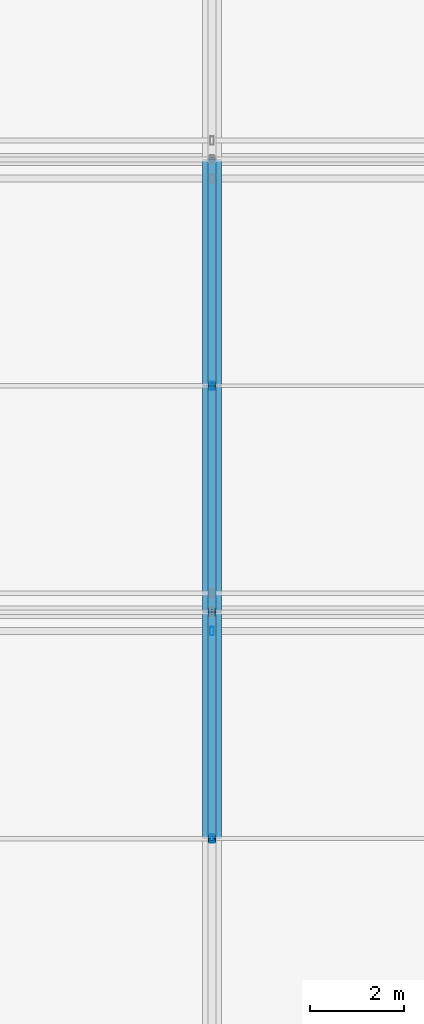
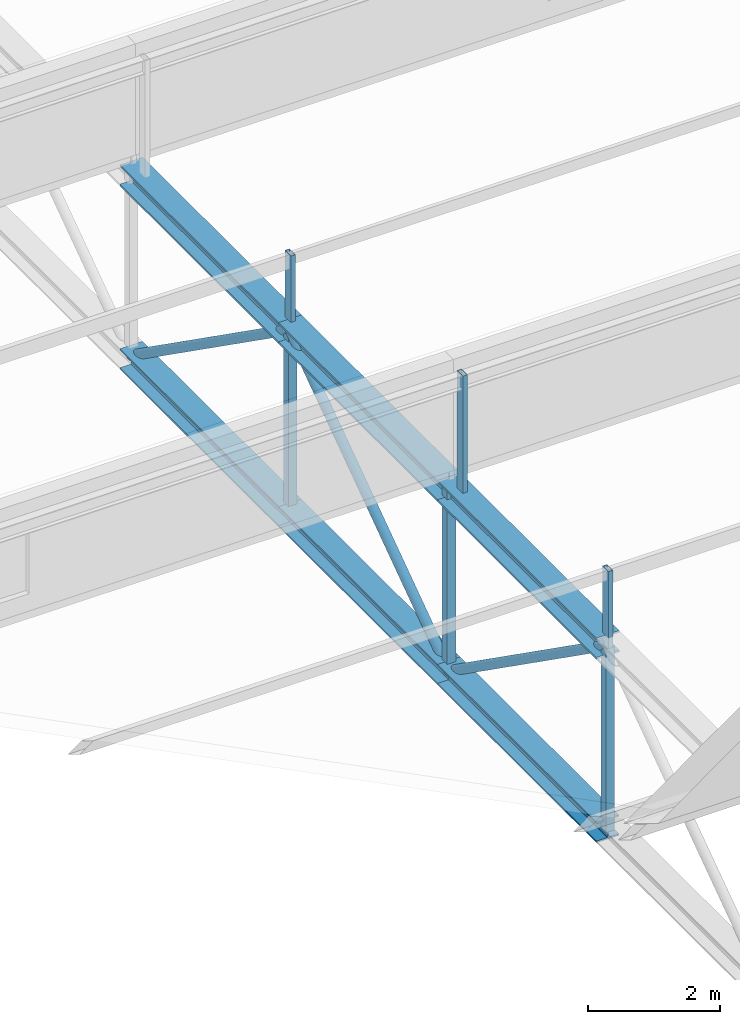
# One storey, part 65 of 136: 9 members, 6 beams.
"""IFC4 building model written with IfcOpenShell, lengths in metres."""

from ifc_helpers import new_model, si_unit, direction, frame, origin, origin_2d, place, context, subcontext, project, spatial, hollow_rectangle, hollow_circle, i_section, extrude, material, material_profile, profile_set, type_object, element, save


model = new_model("IFC4")

# Units and contexts
model_context = context("Model", 3, precision=1e-05, world=origin(), true_north=direction((0.0, 1.0)))
body_context = subcontext(model_context, "Body", "Model", "MODEL_VIEW")
ifc_project = project(units=[si_unit("LENGTHUNIT", "METRE"), si_unit("AREAUNIT", "SQUARE_METRE"), si_unit("VOLUMEUNIT", "CUBIC_METRE"), si_unit("PLANEANGLEUNIT", "RADIAN"), si_unit("MASSUNIT", "GRAM", prefix="KILO")], contexts=[model_context])

# Site, building, storey
site_placement = place(None, origin())
site = spatial("IfcSite", under=ifc_project, at=site_placement, CompositionType="ELEMENT")
building_placement = place(site_placement, origin())
building = spatial("IfcBuilding", under=site, at=building_placement, Name="Kisiwana Market Hall", CompositionType="ELEMENT")
storey_placement = place(building_placement, frame((0.0, 0.0, 16.800048828125)))
storey = spatial("IfcBuildingStorey", under=building, at=storey_placement, Name="L03", CompositionType="ELEMENT", Elevation=16.800048828125)

# Beams
ifc_material_1 = material(Name="Steel S355", Category="steel")
ifc_material_profile_1 = material_profile(ifc_material_1, i_section(OverallWidth=0.394775390625, OverallDepth=0.381103515625, WebThickness=0.018310546875, FlangeThickness=0.0302734375, at=origin_2d()), Name="UC 356x406x235")
ifc_profile_set_1 = profile_set([ifc_material_profile_1], Name="Steel S355")
beam_type_1 = type_object("IfcBeamType", Name="BM-TRUSS-BOT", PredefinedType="USERDEFINED", material=ifc_profile_set_1)
for number, where, z_axis, x_axis, name in (
    (1, (135.0, 50.39990234375, 0.22998046875), (0.0, 1.0, 0.0), (-1.0, 0.0, 0.0), "TR-07 BC panel 4 B-1301"),
    (2, (135.0, 55.199951171875, 0.22998046875), (0.0, 1.0, 0.0), (-1.0, 0.0, 0.0), "TR-07 BC panel 5 B-1302"),
    (3, (135.0, 60.0, 0.22998046875), (0.0, 1.0, 0.0), (-1.0, 0.0, 0.0), "TR-07 BC panel 6 B-1303"),
):
    element("IfcBeam", number, at=place(storey_placement, frame(where, z_axis=z_axis, x_axis=x_axis)), inside=storey, type_object=beam_type_1, Name=name, ObjectType="ROOF TRUSS", PredefinedType="USERDEFINED", context=body_context, shape_type="SweptSolid", body=[
        extrude(i_section(OverallWidth=0.394775390625, OverallDepth=0.381103515625, WebThickness=0.018310546875, FlangeThickness=0.0302734375, at=origin_2d()), origin(), (0.0, 0.0, 1.0), 4.800048828125),
    ])
ifc_material_2 = material(Name="Steel S355", Category="steel")
ifc_material_profile_2 = material_profile(ifc_material_2, i_section(OverallWidth=0.39892578125, OverallDepth=0.3935546875, WebThickness=0.022705078125, FlangeThickness=0.03662109375, at=origin_2d()), Name="UC 356x406x287")
ifc_profile_set_2 = profile_set([ifc_material_profile_2], Name="Steel S355")
beam_type_2 = type_object("IfcBeamType", Name="BM-TRUSS-TOP", PredefinedType="USERDEFINED", material=ifc_profile_set_2)
for number, where, z_axis, x_axis, name in (
    (4, (135.0, 50.39990234375, 3.619873046875), (0.0, 1.0, 0.0), (-1.0, 0.0, 0.0), "TR-07 TC panel 4 B-1311"),
    (5, (135.0, 55.199951171875, 3.619873046875), (0.0, 1.0, 0.0), (-1.0, 0.0, 0.0), "TR-07 TC panel 5 B-1312"),
    (6, (135.0, 60.0, 3.619873046875), (0.0, 1.0, 0.0), (-1.0, 0.0, 0.0), "TR-07 TC panel 6 B-1313"),
):
    element("IfcBeam", number, at=place(storey_placement, frame(where, z_axis=z_axis, x_axis=x_axis)), inside=storey, type_object=beam_type_2, Name=name, ObjectType="ROOF TRUSS", PredefinedType="USERDEFINED", context=body_context, shape_type="SweptSolid", body=[
        extrude(i_section(OverallWidth=0.39892578125, OverallDepth=0.3935546875, WebThickness=0.022705078125, FlangeThickness=0.03662109375, at=origin_2d()), origin(), (0.0, 0.0, 1.0), 4.800048828125),
    ])

# Members
ifc_material_3 = material(Name="Steel S355", Category="steel")
ifc_material_profile_3 = material_profile(ifc_material_3, hollow_rectangle(XDim=0.080078125, YDim=0.179931640625, WallThickness=0.00634765625, at=origin_2d()), Name="RHS 180x80x6.3")
ifc_profile_set_3 = profile_set([ifc_material_profile_3], Name="Steel S355")
member_type_1 = type_object("IfcMemberType", Name="MB-CAN-STRUT", PredefinedType="STRUT", material=ifc_profile_set_3)
member_placement = place(storey_placement, frame((135.0, 54.800048828125, 3.619873046875), z_axis=(0.0, 0.0, 1.0), x_axis=(1.0, 0.0, 0.0)))
element("IfcMember", 7, at=member_placement, inside=storey, type_object=member_type_1, Name="Sawtooth raker post 217 M-0267", PredefinedType="STRUT", context=body_context, shape_type="SweptSolid", body=[
    extrude(hollow_rectangle(XDim=0.080078125, YDim=0.179931640625, WallThickness=0.00634765625, at=origin_2d()), origin(), (0.0, 0.0, 1.0), 2.355712890625),
])
for number, where, z_axis, x_axis, name in (
    (8, (135.0, 50.39990234375, 3.619873046875), (0.0, 0.0, 1.0), (1.0, 0.0, 0.0), "Sawtooth mid-slope raker post 22 M-0067"),
    (9, (135.0, 60.0, 3.619873046875), (0.0, 0.0, 1.0), (1.0, 0.0, 0.0), "Sawtooth mid-slope raker post 36 M-0074"),
):
    element("IfcMember", number, at=place(storey_placement, frame(where, z_axis=z_axis, x_axis=x_axis)), inside=storey, type_object=member_type_1, Name=name, PredefinedType="STRUT", context=body_context, shape_type="SweptSolid", body=[
        extrude(hollow_rectangle(XDim=0.080078125, YDim=0.179931640625, WallThickness=0.00634765625, at=origin_2d()), origin(), (0.0, 0.0, 1.0), 1.42041015625),
    ])
ifc_material_4 = material(Name="Steel S355", Category="steel")
ifc_material_profile_4 = material_profile(ifc_material_4, hollow_circle(Radius=0.084228515625, WallThickness=0.010009765625, at=origin_2d()), Name="CHS 168.3x10.0")
ifc_profile_set_4 = profile_set([ifc_material_profile_4], Name="Steel S355")
member_type_2 = type_object("IfcMemberType", Name="MB-TR-DIAG168", PredefinedType="BRACE", material=ifc_profile_set_4)
for number, where, z_axis, x_axis, name in (
    (10, (135.0, 50.39990234375, 3.619873046875), (0.0, 0.816837735077, -0.576867501732), (-1.0, 0.0, 0.0), "TR-07 diagonal 4 M-0453"),
    (11, (135.0, 55.199951171875, 0.22998046875), (0.0, 0.816837735077, 0.576867501732), (-1.0, 0.0, 0.0), "TR-07 diagonal 5 M-0454"),
    (12, (135.0, 60.0, 3.619873046875), (0.0, 0.816837735077, -0.576867501732), (-1.0, 0.0, 0.0), "TR-07 diagonal 6 M-0455"),
):
    element("IfcMember", number, at=place(storey_placement, frame(where, z_axis=z_axis, x_axis=x_axis)), inside=storey, type_object=member_type_2, Name=name, PredefinedType="BRACE", context=body_context, shape_type="SweptSolid", body=[
        extrude(hollow_circle(Radius=0.084228515625, WallThickness=0.010009765625, at=origin_2d()), origin(), (0.0, 0.0, 1.0), 5.87646484375),
    ])
ifc_material_5 = material(Name="Steel S355", Category="steel")
ifc_material_profile_5 = material_profile(ifc_material_5, hollow_rectangle(XDim=0.14990234375, YDim=0.14990234375, WallThickness=0.008056640625, at=origin_2d()), Name="SHS 150x150x8.0")
ifc_profile_set_5 = profile_set([ifc_material_profile_5], Name="Steel S355")
member_type_3 = type_object("IfcMemberType", Name="MB-TR-STRUT200", PredefinedType="STRUT", material=ifc_profile_set_5)
for number, where, z_axis, x_axis, name in (
    (13, (135.0, 50.39990234375, 0.22998046875), (0.0, 0.0, 1.0), (1.0, 0.0, 0.0), "TR-07 vertical strut 4 M-0462"),
    (14, (135.0, 55.199951171875, 0.22998046875), (0.0, 0.0, 1.0), (1.0, 0.0, 0.0), "TR-07 vertical strut 5 M-0463"),
    (15, (135.0, 60.0, 0.22998046875), (0.0, 0.0, 1.0), (1.0, 0.0, 0.0), "TR-07 vertical strut 6 M-0464"),
):
    element("IfcMember", number, at=place(storey_placement, frame(where, z_axis=z_axis, x_axis=x_axis)), inside=storey, type_object=member_type_3, Name=name, PredefinedType="STRUT", context=body_context, shape_type="SweptSolid", body=[
        extrude(hollow_rectangle(XDim=0.14990234375, YDim=0.14990234375, WallThickness=0.008056640625, at=origin_2d()), origin(), (0.0, 0.0, 1.0), 3.389892578125),
    ])

save(model, "model.ifc")
